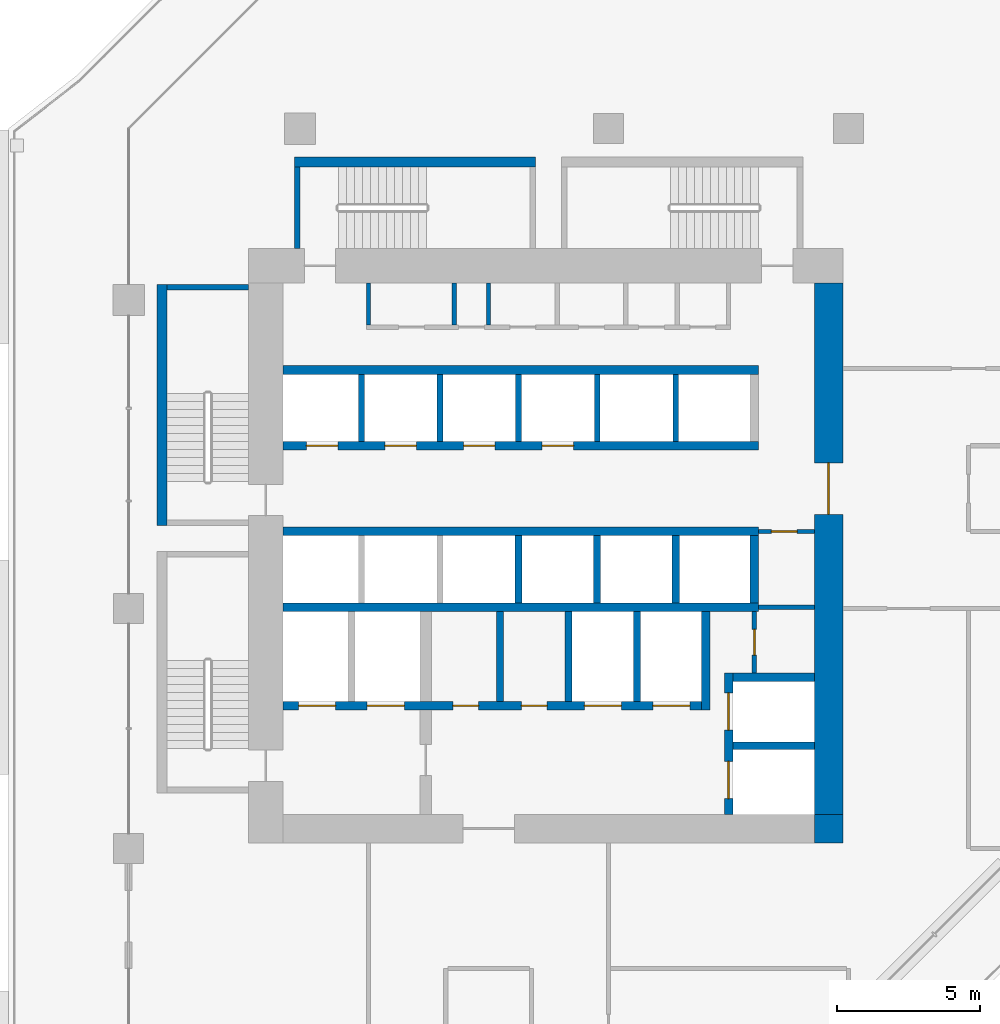
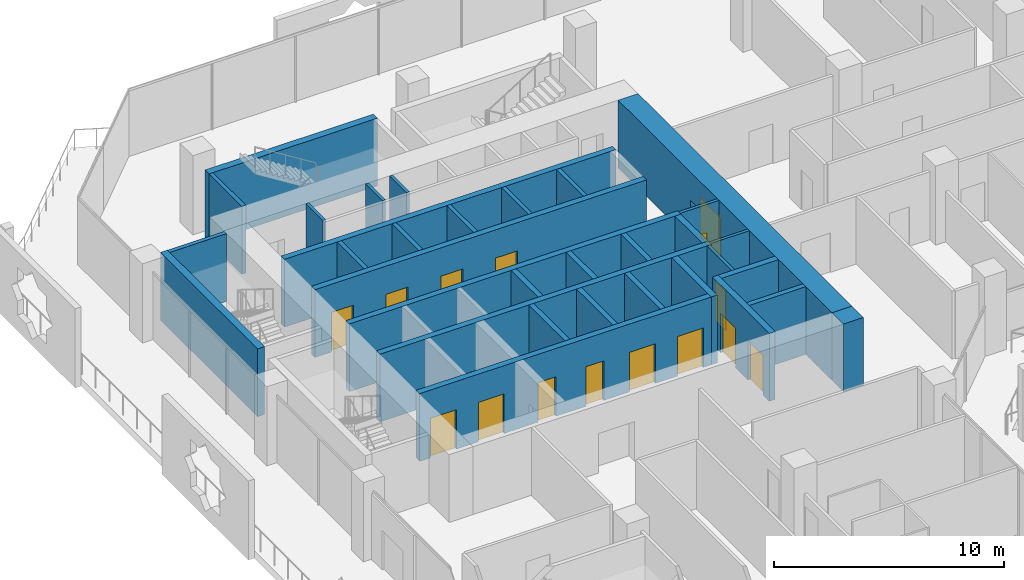
# One storey, part 15 of 25: 33 walls, 15 doors, 15 openings.
"""IFC4 building model written with IfcOpenShell, lengths in metres."""

import ifcopenshell
import ifcopenshell.guid

model = None  # the IFC model being written
_history = None  # IfcOwnerHistory: only IFC2X3 demands one
_inside = {}  # id of a spatial element -> (the spatial element, [elements in it])
_under = {}  # id of a project, library or spatial element -> (it, [spatial elements below it])
_declared = {}  # id of a project -> (the project, [libraries it declares])
_typed = {}  # id of a type object -> (the type object, [elements of that type])
_made_of = {}  # id of a material, layer set ... -> (it, [elements and type objects made of it])


def new_model(schema):
    """Start an empty IFC model of exactly this schema.

    Asked for "IFC4X3", IfcOpenShell would pick the latest addendum, in which some entities
    have other attributes; the version numbers below select the first issue.
    IFC2X3 requires an IfcOwnerHistory on every rooted entity: one is made here for all.
    """
    global model, _history
    if schema == "IFC4X3":
        model = ifcopenshell.file(schema_version=(4, 3, 0, 0))
    else:
        model = ifcopenshell.file(schema=schema)
    _inside.clear()
    _under.clear()
    _declared.clear()
    _typed.clear()
    _made_of.clear()
    _history = None
    if model.schema == "IFC2X3":
        org = make("IfcOrganization", Name="unknown")
        user = make(
            "IfcPersonAndOrganization",
            ThePerson=make("IfcPerson", FamilyName="unknown"),
            TheOrganization=org,
        )
        app = make(
            "IfcApplication",
            ApplicationDeveloper=org,
            Version="unknown",
            ApplicationFullName="unknown",
            ApplicationIdentifier="unknown",
        )
        _history = make(
            "IfcOwnerHistory",
            OwningUser=user,
            OwningApplication=app,
            ChangeAction="ADDED",
            CreationDate=0,
        )
    return model


def make(cls, **values):
    """One entity of the class cls with the attributes given. An attribute that is None is left unset."""
    return model.create_entity(
        cls, **{name: value for name, value in values.items() if value is not None}
    )


def rooted(cls, **values):
    """An entity with a GlobalId (a new one), such as an element, a storey or a relation."""
    return make(cls, GlobalId=ifcopenshell.guid.new(), OwnerHistory=_history, **values)


def si_unit(unit_type, name, prefix=None):
    """IfcSIUnit, for example si_unit("LENGTHUNIT", "METRE", prefix="MILLI")."""
    return make("IfcSIUnit", UnitType=unit_type, Prefix=prefix, Name=name)


def assignment(units):
    """IfcUnitAssignment: the units of a project."""
    return None if units is None else make("IfcUnitAssignment", Units=units)


def point(xyz):
    """IfcCartesianPoint."""
    return None if xyz is None else make("IfcCartesianPoint", Coordinates=xyz)


def direction(xyz):
    """IfcDirection."""
    return None if xyz is None else make("IfcDirection", DirectionRatios=xyz)


def frame(location, z_axis=None, x_axis=None):
    """IfcAxis2Placement3D, a coordinate frame: its origin and axes. An axis left out is left unset."""
    return make(
        "IfcAxis2Placement3D",
        Location=point(location),
        Axis=direction(z_axis),
        RefDirection=direction(x_axis),
    )


def frame_2d(location, x_axis=None):
    """IfcAxis2Placement2D, a coordinate frame in the plane: its origin and x axis."""
    return make(
        "IfcAxis2Placement2D", Location=point(location), RefDirection=direction(x_axis)
    )


def origin():
    """The frame at (0, 0, 0) with its axes left unset."""
    return frame((0.0, 0.0, 0.0))


def place(relative_to, where):
    """IfcLocalPlacement: puts the frame where relative to a parent placement (None: the world)."""
    return make(
        "IfcLocalPlacement", PlacementRelTo=relative_to, RelativePlacement=where
    )


def context(
    kind, dimensions, precision=None, world=None, true_north=None, identifier=None
):
    """IfcGeometricRepresentationContext, for example the 3D "Model" context."""
    return make(
        "IfcGeometricRepresentationContext",
        ContextIdentifier=identifier,
        ContextType=kind,
        CoordinateSpaceDimension=dimensions,
        Precision=precision,
        WorldCoordinateSystem=world,
        TrueNorth=true_north,
    )


def subcontext(parent, identifier, kind, view, scale=None):
    """IfcGeometricRepresentationSubContext, for example "Body" below "Model"."""
    return make(
        "IfcGeometricRepresentationSubContext",
        ContextIdentifier=identifier,
        ContextType=kind,
        ParentContext=parent,
        TargetScale=scale,
        TargetView=view,
    )


def project(units=None, contexts=None):
    """IfcProject with its units and contexts."""
    return rooted(
        "IfcProject",
        Name="project",
        RepresentationContexts=contexts,
        UnitsInContext=assignment(units),
    )


def spatial(cls, under=None, at=None, **own):
    """A site, building, storey or space (cls), placed at a placement, below another one or the project."""
    s = rooted(cls, ObjectPlacement=at, **own)
    if under is not None:
        _under.setdefault(under.id(), (under, []))[1].append(s)
    return s


def profile(cls, at=None, kind="AREA", **sizes):
    """A parametric profile (cls). Its sizes go by their IFC names, for example OverallWidth=200.0."""
    return make(cls, ProfileType=kind, Position=at, **sizes)


def rectangle(**sizes):
    """IfcRectangleProfileDef."""
    return profile("IfcRectangleProfileDef", **sizes)


def extrude(swept, where, along, depth):
    """IfcExtrudedAreaSolid: the profile swept, set in the frame where, extruded along a direction by depth."""
    return make(
        "IfcExtrudedAreaSolid",
        SweptArea=swept,
        Position=where,
        ExtrudedDirection=direction(along),
        Depth=depth,
    )


def shape(context_of_items, identifier, shape_type, items):
    """IfcShapeRepresentation: the items that make up one representation, for example the "Body"."""
    return make(
        "IfcShapeRepresentation",
        ContextOfItems=context_of_items,
        RepresentationIdentifier=identifier,
        RepresentationType=shape_type,
        Items=items,
    )


def material(Name=None, Category=None):
    """IfcMaterial."""
    return make("IfcMaterial", Name=Name, Category=Category)


def layer(
    of_material, thickness, ventilated=None, Name=None, Category=None, Priority=None
):
    """IfcMaterialLayer: one layer of a wall or slab, of a material (None: an air gap)."""
    return make(
        "IfcMaterialLayer",
        Material=of_material,
        LayerThickness=thickness,
        IsVentilated=ventilated,
        Name=Name,
        Category=Category,
        Priority=Priority,
    )


def layer_set(layers, Name=None):
    """IfcMaterialLayerSet."""
    return make("IfcMaterialLayerSet", MaterialLayers=layers, LayerSetName=Name)


def made_of(thing, what):
    """Note that an element or type object is made of a material, layer set ...; save() writes the relation."""
    if what is not None:
        _made_of.setdefault(what.id(), (what, []))[1].append(thing)
    return thing


def type_object(cls, material=None, **own):
    """A type object (cls), such as IfcWallType, which elements share."""
    return made_of(rooted(cls, **own), material)


def element(
    cls,
    number,
    at=None,
    inside=None,
    cuts=None,
    type_object=None,
    material=None,
    context=None,
    identifier="Body",
    shape_type=None,
    held_by="IfcProductDefinitionShape",
    body=None,
    shapes=None,
    **own,
):
    """One element of the class cls, such as IfcWall. Its Tag is "e" and its number.

    at: its placement. inside: the storey or other place that contains it. cuts: it is an
    opening in that element (IfcRelVoidsElement). A single representation is given by context,
    identifier, shape_type and body (its items); several are given by shapes. held_by: the class
    of the entity that holds the representations. save() writes the other relations.
    """
    e = rooted(cls, Tag="e%d" % number, ObjectPlacement=at, **own)
    if body is not None:
        shapes = [shape(context, identifier, shape_type, body)]
    if shapes is not None:
        e.Representation = make(held_by, Representations=shapes)
    if inside is not None:
        _inside.setdefault(inside.id(), (inside, []))[1].append(e)
    if cuts is not None:
        rooted(
            "IfcRelVoidsElement", RelatingBuildingElement=cuts, RelatedOpeningElement=e
        )
    if type_object is not None:
        _typed.setdefault(type_object.id(), (type_object, []))[1].append(e)
    return made_of(e, material)


def fill(opening, filler):
    """IfcRelFillsElement: the door or window that sits in an opening."""
    return rooted(
        "IfcRelFillsElement",
        RelatingOpeningElement=opening,
        RelatedBuildingElement=filler,
    )


def aggregate(whole, parts):
    """IfcRelAggregates: a whole, such as a stair, and the parts it consists of."""
    return rooted("IfcRelAggregates", RelatingObject=whole, RelatedObjects=parts)


def save(model, path):
    """Write the relations noted so far, then the file.

    IfcRelAggregates (storeys below a building ...), IfcRelContainedInSpatialStructure (elements
    in a storey), IfcRelDefinesByType, IfcRelAssociatesMaterial and IfcRelDeclares: one each for
    every whole, place, type object, material and project.
    """
    for whole, parts in _under.values():
        aggregate(whole, parts)
    for where, things in _inside.values():
        rooted(
            "IfcRelContainedInSpatialStructure",
            RelatedElements=things,
            RelatingStructure=where,
        )
    for kind, things in _typed.values():
        rooted("IfcRelDefinesByType", RelatedObjects=things, RelatingType=kind)
    for what, things in _made_of.values():
        rooted("IfcRelAssociatesMaterial", RelatedObjects=things, RelatingMaterial=what)
    for by, libraries in _declared.values():
        rooted("IfcRelDeclares", RelatingContext=by, RelatedDefinitions=libraries)
    model.write(path)


model = new_model("IFC4")

# Units and contexts
model_context = context("Model", 3, precision=1e-05, world=origin(), true_north=direction((0.0, 1.0)))
body_context = subcontext(model_context, "Body", "Model", "MODEL_VIEW")
ifc_project = project(units=[si_unit("LENGTHUNIT", "METRE"), si_unit("AREAUNIT", "SQUARE_METRE"), si_unit("VOLUMEUNIT", "CUBIC_METRE"), si_unit("PLANEANGLEUNIT", "RADIAN"), si_unit("MASSUNIT", "GRAM", prefix="KILO")], contexts=[model_context])

# Site, building, storey
site_placement = place(None, origin())
site = spatial("IfcSite", under=ifc_project, at=site_placement, CompositionType="ELEMENT")
building_placement = place(site_placement, origin())
building = spatial("IfcBuilding", under=site, at=building_placement, Name="Kawkab Arch Medical Tower", CompositionType="ELEMENT")
storey_placement = place(building_placement, frame((0.0, 0.0, 111.39990234375)))
storey = spatial("IfcBuildingStorey", under=building, at=storey_placement, Name="L25", CompositionType="ELEMENT", Elevation=111.39990234375)

# Wall, opening, door
ifc_material_1 = material(Name="Concrete C60/75", Category="concrete")
ifc_layer_1 = layer(ifc_material_1, 1.0)
ifc_layer_set_1 = layer_set([ifc_layer_1], Name="Concrete C60/75")
wall_type_1 = type_object("IfcWallType", Name="Core ring wall 1000 C60/75", PredefinedType="SHEAR", material=ifc_layer_set_1)
wall_1_placement = place(storey_placement, frame((24.5, -24.0, 0.0), z_axis=(0.0, 0.0, 1.0), x_axis=(0.0, 1.0, 0.0)))
wall_1 = element("IfcWall", 1, at=wall_1_placement, inside=storey, type_object=wall_type_1, Name="L25 core wall", PredefinedType="SHEAR", context=body_context, shape_type="SweptSolid", body=[
    extrude(rectangle(XDim=18.60009765625, YDim=1.0, at=frame_2d((9.300048828125, 0.0))), origin(), (0.0, 0.0, 1.0), 3.60009765625),
])
opening_1_placement = place(wall_1_placement, frame((10.5, 0.0, 0.0)))
opening_1 = element("IfcOpeningElement", 2, at=opening_1_placement, cuts=wall_1, Name="Opening PD", PredefinedType="OPENING", context=body_context, shape_type="SweptSolid", body=[
    extrude(rectangle(XDim=1.800048828125, YDim=2.10009765625, at=frame_2d((0.89990234375, 1.050048828125))), frame((0.0, 0.510009765625, 0.0), z_axis=(0.0, -1.0, 0.0), x_axis=(1.0, 0.0, 0.0)), (0.0, 0.0, 1.0), 1.02001953125),
])
ifc_material_2 = material(Name="Hollow metal fire door leaf")
door_type_1 = type_object("IfcDoorType", Name="Core entrance doors 1800", OperationType="DOUBLE_DOOR_SINGLE_SWING", PredefinedType="DOOR", material=ifc_material_2)
door_1_placement = place(opening_1_placement, origin())
door_1 = element("IfcDoor", 3, at=door_1_placement, inside=storey, type_object=door_type_1, Name="L25 East entrance doors", OperationType="DOUBLE_DOOR_SINGLE_SWING", OverallHeight=2.10009765625, OverallWidth=1.800048828125, PredefinedType="DOOR", context=body_context, shape_type="SweptSolid", body=[
    extrude(rectangle(XDim=1.800048828125, YDim=2.10009765625, at=frame_2d((0.89990234375, 1.050048828125))), frame((0.0, 0.02490234375, 0.0), z_axis=(0.0, -1.0, 0.0), x_axis=(1.0, 0.0, 0.0)), (0.0, 0.0, 1.0), 0.050048828125),
])
fill(opening_1, door_1)

# Wall
wall_2_placement = place(storey_placement, frame((24.5, -25.0, 0.0), z_axis=(0.0, 0.0, 1.0), x_axis=(0.0, 1.0, 0.0)))
element("IfcWall", 4, at=wall_2_placement, inside=storey, type_object=wall_type_1, Name="L25 core wall", PredefinedType="SHEAR", context=body_context, shape_type="SweptSolid", body=[
    extrude(rectangle(XDim=1.0, YDim=1.0, at=frame_2d((0.5, 0.0))), origin(), (0.0, 0.0, 1.0), 3.60009765625),
])

# Wall, opening, door
ifc_material_3 = material(Name="Gypsum board on steel studs", Category="steel")
ifc_layer_2 = layer(ifc_material_3, 0.14990234375)
ifc_layer_set_2 = layer_set([ifc_layer_2], Name="Gypsum board on steel studs")
wall_type_2 = type_object("IfcWallType", Name="Core room partition 150", PredefinedType="PARTITIONING", material=ifc_layer_set_2)
wall_3_placement = place(storey_placement, frame((21.89990234375, -19.050048828125, 0.0), z_axis=(0.0, 0.0, 1.0), x_axis=(0.0, 1.0, 0.0)))
wall_3 = element("IfcWall", 5, at=wall_3_placement, inside=storey, type_object=wall_type_2, Name="L25 core room partition", PredefinedType="PARTITIONING", context=body_context, shape_type="SweptSolid", body=[
    extrude(rectangle(XDim=2.150146484375, YDim=0.14990234375, at=frame_2d((1.0751953125, 0.0))), origin(), (0.0, 0.0, 1.0), 3.60009765625),
])
opening_2_placement = place(wall_3_placement, frame((0.625, 0.0, 0.0)))
opening_2 = element("IfcOpeningElement", 6, at=opening_2_placement, cuts=wall_3, Name="Opening RD", PredefinedType="OPENING", context=body_context, shape_type="SweptSolid", body=[
    extrude(rectangle(XDim=0.89990234375, YDim=2.10009765625, at=frame_2d((0.449951171875, 1.050048828125))), frame((0.0, 0.0849609375, 0.0), z_axis=(0.0, -1.0, 0.0), x_axis=(1.0, 0.0, 0.0)), (0.0, 0.0, 1.0), 0.169921875),
])
ifc_material_4 = material(Name="Hollow metal fire door leaf")
door_type_2 = type_object("IfcDoorType", Name="Core room door 900", OperationType="SINGLE_SWING_LEFT", PredefinedType="DOOR", material=ifc_material_4)
door_2_placement = place(opening_2_placement, origin())
door_2 = element("IfcDoor", 7, at=door_2_placement, inside=storey, type_object=door_type_2, Name="L25 Accessible WC door", OperationType="SINGLE_SWING_LEFT", OverallHeight=2.10009765625, OverallWidth=0.89990234375, PredefinedType="DOOR", context=body_context, shape_type="SweptSolid", body=[
    extrude(rectangle(XDim=0.89990234375, YDim=2.10009765625, at=frame_2d((0.449951171875, 1.050048828125))), frame((0.0, 0.02490234375, 0.0), z_axis=(0.0, -1.0, 0.0), x_axis=(1.0, 0.0, 0.0)), (0.0, 0.0, 1.0), 0.050048828125),
])
fill(opening_2, door_2)

# Wall
wall_4_placement = place(storey_placement, frame((22.050048828125, -16.75, 0.0), z_axis=(0.0, 0.0, 1.0), x_axis=(1.0, 0.0, 0.0)))
element("IfcWall", 8, at=wall_4_placement, inside=storey, type_object=wall_type_2, Name="L25 core room partition", PredefinedType="PARTITIONING", context=body_context, shape_type="SweptSolid", body=[
    extrude(rectangle(XDim=1.949951171875, YDim=0.14990234375, at=frame_2d((0.97509765625, 0.0))), origin(), (0.0, 0.0, 1.0), 3.60009765625),
])

# Wall, opening, door
wall_5_placement = place(storey_placement, frame((22.050048828125, -14.10009765625, 0.0), z_axis=(0.0, 0.0, 1.0), x_axis=(1.0, 0.0, 0.0)))
wall_5 = element("IfcWall", 9, at=wall_5_placement, inside=storey, type_object=wall_type_2, Name="L25 core room partition", PredefinedType="PARTITIONING", context=body_context, shape_type="SweptSolid", body=[
    extrude(rectangle(XDim=1.949951171875, YDim=0.14990234375, at=frame_2d((0.97509765625, 0.0))), origin(), (0.0, 0.0, 1.0), 3.60009765625),
])
opening_3_placement = place(wall_5_placement, frame((0.449951171875, 0.0, 0.0)))
opening_3 = element("IfcOpeningElement", 10, at=opening_3_placement, cuts=wall_5, Name="Opening RD", PredefinedType="OPENING", context=body_context, shape_type="SweptSolid", body=[
    extrude(rectangle(XDim=0.89990234375, YDim=2.10009765625, at=frame_2d((0.449951171875, 1.050048828125))), frame((0.0, 0.0849609375, 0.0), z_axis=(0.0, -1.0, 0.0), x_axis=(1.0, 0.0, 0.0)), (0.0, 0.0, 1.0), 0.169921875),
])
door_3_placement = place(opening_3_placement, origin())
door_3 = element("IfcDoor", 11, at=door_3_placement, inside=storey, type_object=door_type_2, Name="L25 Equipment store door", OperationType="SINGLE_SWING_LEFT", OverallHeight=2.10009765625, OverallWidth=0.89990234375, PredefinedType="DOOR", context=body_context, shape_type="SweptSolid", body=[
    extrude(rectangle(XDim=0.89990234375, YDim=2.10009765625, at=frame_2d((0.449951171875, 1.050048828125))), frame((0.0, 0.02490234375, 0.0), z_axis=(0.0, -1.0, 0.0), x_axis=(1.0, 0.0, 0.0)), (0.0, 0.0, 1.0), 0.050048828125),
])
fill(opening_3, door_3)

# Walls
for number, where, z_axis, x_axis, name in (
    (12, (8.39990234375, -6.875, 0.0), (0.0, 0.0, 1.0), (0.0, 1.0, 0.0), "L25 core room partition"),
    (13, (11.39990234375, -6.875, 0.0), (0.0, 0.0, 1.0), (0.0, 1.0, 0.0), "L25 core room partition"),
    (14, (12.60009765625, -6.875, 0.0), (0.0, 0.0, 1.0), (0.0, 1.0, 0.0), "L25 core room partition"),
):
    element("IfcWall", number, at=place(storey_placement, frame(where, z_axis=z_axis, x_axis=x_axis)), inside=storey, type_object=wall_type_2, Name=name, PredefinedType="PARTITIONING", context=body_context, shape_type="SweptSolid", body=[
        extrude(rectangle(XDim=1.47509765625, YDim=0.14990234375, at=frame_2d((0.737548828125, 0.0))), origin(), (0.0, 0.0, 1.0), 3.60009765625),
    ])
ifc_material_5 = material(Name="Concrete C60/75", Category="concrete")
ifc_layer_3 = layer(ifc_material_5, 0.25)
ifc_layer_set_3 = layer_set([ifc_layer_3], Name="Concrete C60/75")
wall_type_3 = type_object("IfcWallType", Name="Core shear wall 250 C60/75", PredefinedType="SHEAR", material=ifc_layer_set_3)
wall_6_placement = place(storey_placement, frame((21.14990234375, -21.60009765625, 0.0), z_axis=(0.0, 0.0, 1.0), x_axis=(1.0, 0.0, 0.0)))
element("IfcWall", 15, at=wall_6_placement, inside=storey, type_object=wall_type_3, Name="L25 core shear wall", PredefinedType="SHEAR", context=body_context, shape_type="SweptSolid", body=[
    extrude(rectangle(XDim=2.85009765625, YDim=0.25, at=frame_2d((1.425048828125, 0.0))), origin(), (0.0, 0.0, 1.0), 3.60009765625),
])
for number, where, z_axis, x_axis, name in (
    (16, (13.0, -20.050048828125, 0.0), (0.0, 0.0, 1.0), (0.0, 1.0, 0.0), "L25 core shear wall"),
    (17, (15.39990234375, -20.050048828125, 0.0), (0.0, 0.0, 1.0), (0.0, 1.0, 0.0), "L25 core shear wall"),
    (18, (17.800048828125, -20.050048828125, 0.0), (0.0, 0.0, 1.0), (0.0, 1.0, 0.0), "L25 core shear wall"),
):
    element("IfcWall", number, at=place(storey_placement, frame(where, z_axis=z_axis, x_axis=x_axis)), inside=storey, type_object=wall_type_3, Name=name, PredefinedType="SHEAR", context=body_context, shape_type="SweptSolid", body=[
        extrude(rectangle(XDim=3.150146484375, YDim=0.25, at=frame_2d((1.5751953125, 0.0))), origin(), (0.0, 0.0, 1.0), 3.60009765625),
    ])
for number, where, z_axis, x_axis, name in (
    (19, (13.64990234375, -16.60009765625, 0.0), (0.0, 0.0, 1.0), (0.0, 1.0, 0.0), "L25 core shear wall"),
    (20, (16.39990234375, -16.60009765625, 0.0), (0.0, 0.0, 1.0), (0.0, 1.0, 0.0), "L25 core shear wall"),
    (21, (19.14990234375, -16.60009765625, 0.0), (0.0, 0.0, 1.0), (0.0, 1.0, 0.0), "L25 core shear wall"),
):
    element("IfcWall", number, at=place(storey_placement, frame(where, z_axis=z_axis, x_axis=x_axis)), inside=storey, type_object=wall_type_3, Name=name, PredefinedType="SHEAR", context=body_context, shape_type="SweptSolid", body=[
        extrude(rectangle(XDim=2.35009765625, YDim=0.25, at=frame_2d((1.175048828125, 0.0))), origin(), (0.0, 0.0, 1.0), 3.60009765625),
    ])
ifc_material_6 = material(Name="Concrete C60/75", Category="concrete")
ifc_layer_4 = layer(ifc_material_6, 0.300048828125)
ifc_layer_set_4 = layer_set([ifc_layer_4], Name="Concrete C60/75")
wall_type_4 = type_object("IfcWallType", Name="Core shear wall 300 C60/75", PredefinedType="SHEAR", material=ifc_layer_set_4)
wall_7_placement = place(storey_placement, frame((5.39990234375, -8.449951171875, 0.0), z_axis=(0.0, 0.0, 1.0), x_axis=(1.0, 0.0, 0.0)))
element("IfcWall", 22, at=wall_7_placement, inside=storey, type_object=wall_type_4, Name="L25 core shear wall", PredefinedType="SHEAR", context=body_context, shape_type="SweptSolid", body=[
    extrude(rectangle(XDim=16.650146484375, YDim=0.300048828125, at=frame_2d((8.3251953125, 0.0))), origin(), (0.0, 0.0, 1.0), 3.60009765625),
])

# Wall, openings, doors
wall_8_placement = place(storey_placement, frame((5.39990234375, -11.10009765625, 0.0), z_axis=(0.0, 0.0, 1.0), x_axis=(1.0, 0.0, 0.0)))
wall_8 = element("IfcWall", 23, at=wall_8_placement, inside=storey, type_object=wall_type_4, Name="L25 core shear wall", PredefinedType="SHEAR", context=body_context, shape_type="SweptSolid", body=[
    extrude(rectangle(XDim=16.650146484375, YDim=0.300048828125, at=frame_2d((8.3251953125, 0.0))), origin(), (0.0, 0.0, 1.0), 3.60009765625),
])
opening_4_placement = place(wall_8_placement, frame((0.824951171875, 0.0, 0.0)))
opening_4 = element("IfcOpeningElement", 24, at=opening_4_placement, cuts=wall_8, Name="Opening LD1", PredefinedType="OPENING", context=body_context, shape_type="SweptSolid", body=[
    extrude(rectangle(XDim=1.10009765625, YDim=2.10009765625, at=frame_2d((0.550048828125, 1.050048828125))), frame((0.0, 0.159912109375, 0.0), z_axis=(0.0, -1.0, 0.0), x_axis=(1.0, 0.0, 0.0)), (0.0, 0.0, 1.0), 0.320068359375),
])
opening_5_placement = place(wall_8_placement, frame((3.574951171875, 0.0, 0.0)))
opening_5 = element("IfcOpeningElement", 25, at=opening_5_placement, cuts=wall_8, Name="Opening LD1", PredefinedType="OPENING", context=body_context, shape_type="SweptSolid", body=[
    extrude(rectangle(XDim=1.10009765625, YDim=2.10009765625, at=frame_2d((0.550048828125, 1.050048828125))), frame((0.0, 0.159912109375, 0.0), z_axis=(0.0, -1.0, 0.0), x_axis=(1.0, 0.0, 0.0)), (0.0, 0.0, 1.0), 0.320068359375),
])
opening_6_placement = place(wall_8_placement, frame((6.324951171875, 0.0, 0.0)))
opening_6 = element("IfcOpeningElement", 26, at=opening_6_placement, cuts=wall_8, Name="Opening LD1", PredefinedType="OPENING", context=body_context, shape_type="SweptSolid", body=[
    extrude(rectangle(XDim=1.10009765625, YDim=2.10009765625, at=frame_2d((0.550048828125, 1.050048828125))), frame((0.0, 0.159912109375, 0.0), z_axis=(0.0, -1.0, 0.0), x_axis=(1.0, 0.0, 0.0)), (0.0, 0.0, 1.0), 0.320068359375),
])
opening_7_placement = place(wall_8_placement, frame((9.074951171875, 0.0, 0.0)))
opening_7 = element("IfcOpeningElement", 27, at=opening_7_placement, cuts=wall_8, Name="Opening LD1", PredefinedType="OPENING", context=body_context, shape_type="SweptSolid", body=[
    extrude(rectangle(XDim=1.10009765625, YDim=2.10009765625, at=frame_2d((0.550048828125, 1.050048828125))), frame((0.0, 0.159912109375, 0.0), z_axis=(0.0, -1.0, 0.0), x_axis=(1.0, 0.0, 0.0)), (0.0, 0.0, 1.0), 0.320068359375),
])
ifc_material_7 = material(Name="Stainless steel lift door leaf", Category="steel")
door_type_3 = type_object("IfcDoorType", Name="Lift landing door 1100", OperationType="DOUBLE_DOOR_SLIDING", PredefinedType="DOOR", material=ifc_material_7)
door_4_placement = place(opening_4_placement, origin())
door_4 = element("IfcDoor", 28, at=door_4_placement, inside=storey, type_object=door_type_3, Name="L25 Lift landing door LP1", OperationType="DOUBLE_DOOR_SLIDING", OverallHeight=2.10009765625, OverallWidth=1.10009765625, PredefinedType="DOOR", context=body_context, shape_type="SweptSolid", body=[
    extrude(rectangle(XDim=1.10009765625, YDim=2.10009765625, at=frame_2d((0.550048828125, 1.050048828125))), frame((0.0, 0.02490234375, 0.0), z_axis=(0.0, -1.0, 0.0), x_axis=(1.0, 0.0, 0.0)), (0.0, 0.0, 1.0), 0.050048828125),
])
fill(opening_4, door_4)
door_5_placement = place(opening_5_placement, origin())
door_5 = element("IfcDoor", 29, at=door_5_placement, inside=storey, type_object=door_type_3, Name="L25 Lift landing door LP2", OperationType="DOUBLE_DOOR_SLIDING", OverallHeight=2.10009765625, OverallWidth=1.10009765625, PredefinedType="DOOR", context=body_context, shape_type="SweptSolid", body=[
    extrude(rectangle(XDim=1.10009765625, YDim=2.10009765625, at=frame_2d((0.550048828125, 1.050048828125))), frame((0.0, 0.02490234375, 0.0), z_axis=(0.0, -1.0, 0.0), x_axis=(1.0, 0.0, 0.0)), (0.0, 0.0, 1.0), 0.050048828125),
])
fill(opening_5, door_5)
door_6_placement = place(opening_6_placement, origin())
door_6 = element("IfcDoor", 30, at=door_6_placement, inside=storey, type_object=door_type_3, Name="L25 Lift landing door LP3", OperationType="DOUBLE_DOOR_SLIDING", OverallHeight=2.10009765625, OverallWidth=1.10009765625, PredefinedType="DOOR", context=body_context, shape_type="SweptSolid", body=[
    extrude(rectangle(XDim=1.10009765625, YDim=2.10009765625, at=frame_2d((0.550048828125, 1.050048828125))), frame((0.0, 0.02490234375, 0.0), z_axis=(0.0, -1.0, 0.0), x_axis=(1.0, 0.0, 0.0)), (0.0, 0.0, 1.0), 0.050048828125),
])
fill(opening_6, door_6)
door_7_placement = place(opening_7_placement, origin())
door_7 = element("IfcDoor", 31, at=door_7_placement, inside=storey, type_object=door_type_3, Name="L25 Lift landing door LP4", OperationType="DOUBLE_DOOR_SLIDING", OverallHeight=2.10009765625, OverallWidth=1.10009765625, PredefinedType="DOOR", context=body_context, shape_type="SweptSolid", body=[
    extrude(rectangle(XDim=1.10009765625, YDim=2.10009765625, at=frame_2d((0.550048828125, 1.050048828125))), frame((0.0, 0.02490234375, 0.0), z_axis=(0.0, -1.0, 0.0), x_axis=(1.0, 0.0, 0.0)), (0.0, 0.0, 1.0), 0.050048828125),
])
fill(opening_7, door_7)

# Walls
for number, where, z_axis, x_axis, name in (
    (32, (5.39990234375, -14.10009765625, 0.0), (0.0, 0.0, 1.0), (1.0, 0.0, 0.0), "L25 core shear wall"),
    (33, (5.39990234375, -16.75, 0.0), (0.0, 0.0, 1.0), (1.0, 0.0, 0.0), "L25 core shear wall"),
):
    element("IfcWall", number, at=place(storey_placement, frame(where, z_axis=z_axis, x_axis=x_axis)), inside=storey, type_object=wall_type_4, Name=name, PredefinedType="SHEAR", context=body_context, shape_type="SweptSolid", body=[
        extrude(rectangle(XDim=16.650146484375, YDim=0.300048828125, at=frame_2d((8.3251953125, 0.0))), origin(), (0.0, 0.0, 1.0), 3.60009765625),
    ])

# Wall, openings, doors
wall_9_placement = place(storey_placement, frame((5.39990234375, -20.199951171875, 0.0), z_axis=(0.0, 0.0, 1.0), x_axis=(1.0, 0.0, 0.0)))
wall_9 = element("IfcWall", 34, at=wall_9_placement, inside=storey, type_object=wall_type_4, Name="L25 core shear wall", PredefinedType="SHEAR", context=body_context, shape_type="SweptSolid", body=[
    extrude(rectangle(XDim=14.650146484375, YDim=0.300048828125, at=frame_2d((7.3251953125, 0.0))), origin(), (0.0, 0.0, 1.0), 3.60009765625),
])
opening_8_placement = place(wall_9_placement, frame((10.550048828125, 0.0, 0.0)))
opening_8 = element("IfcOpeningElement", 35, at=opening_8_placement, cuts=wall_9, Name="Opening LD2", PredefinedType="OPENING", context=body_context, shape_type="SweptSolid", body=[
    extrude(rectangle(XDim=1.300048828125, YDim=2.10009765625, at=frame_2d((0.64990234375, 1.050048828125))), frame((0.0, 0.159912109375, 0.0), z_axis=(0.0, -1.0, 0.0), x_axis=(1.0, 0.0, 0.0)), (0.0, 0.0, 1.0), 0.320068359375),
])
opening_9_placement = place(wall_9_placement, frame((12.949951171875, 0.0, 0.0)))
opening_9 = element("IfcOpeningElement", 36, at=opening_9_placement, cuts=wall_9, Name="Opening LD2", PredefinedType="OPENING", context=body_context, shape_type="SweptSolid", body=[
    extrude(rectangle(XDim=1.300048828125, YDim=2.10009765625, at=frame_2d((0.64990234375, 1.050048828125))), frame((0.0, 0.159912109375, 0.0), z_axis=(0.0, -1.0, 0.0), x_axis=(1.0, 0.0, 0.0)), (0.0, 0.0, 1.0), 0.320068359375),
])
opening_10_placement = place(wall_9_placement, frame((0.550048828125, 0.0, 0.0)))
opening_10 = element("IfcOpeningElement", 37, at=opening_10_placement, cuts=wall_9, Name="Opening LD2", PredefinedType="OPENING", context=body_context, shape_type="SweptSolid", body=[
    extrude(rectangle(XDim=1.300048828125, YDim=2.10009765625, at=frame_2d((0.64990234375, 1.050048828125))), frame((0.0, 0.159912109375, 0.0), z_axis=(0.0, -1.0, 0.0), x_axis=(1.0, 0.0, 0.0)), (0.0, 0.0, 1.0), 0.320068359375),
])
opening_11_placement = place(wall_9_placement, frame((2.949951171875, 0.0, 0.0)))
opening_11 = element("IfcOpeningElement", 38, at=opening_11_placement, cuts=wall_9, Name="Opening LD2", PredefinedType="OPENING", context=body_context, shape_type="SweptSolid", body=[
    extrude(rectangle(XDim=1.300048828125, YDim=2.10009765625, at=frame_2d((0.64990234375, 1.050048828125))), frame((0.0, 0.159912109375, 0.0), z_axis=(0.0, -1.0, 0.0), x_axis=(1.0, 0.0, 0.0)), (0.0, 0.0, 1.0), 0.320068359375),
])
opening_12_placement = place(wall_9_placement, frame((5.949951171875, 0.0, 0.0)))
opening_12 = element("IfcOpeningElement", 39, at=opening_12_placement, cuts=wall_9, Name="Opening RD", PredefinedType="OPENING", context=body_context, shape_type="SweptSolid", body=[
    extrude(rectangle(XDim=0.89990234375, YDim=2.10009765625, at=frame_2d((0.449951171875, 1.050048828125))), frame((0.0, 0.159912109375, 0.0), z_axis=(0.0, -1.0, 0.0), x_axis=(1.0, 0.0, 0.0)), (0.0, 0.0, 1.0), 0.320068359375),
])
opening_13_placement = place(wall_9_placement, frame((8.35009765625, 0.0, 0.0)))
opening_13 = element("IfcOpeningElement", 40, at=opening_13_placement, cuts=wall_9, Name="Opening RD", PredefinedType="OPENING", context=body_context, shape_type="SweptSolid", body=[
    extrude(rectangle(XDim=0.89990234375, YDim=2.10009765625, at=frame_2d((0.449951171875, 1.050048828125))), frame((0.0, 0.159912109375, 0.0), z_axis=(0.0, -1.0, 0.0), x_axis=(1.0, 0.0, 0.0)), (0.0, 0.0, 1.0), 0.320068359375),
])
door_8_placement = place(opening_12_placement, origin())
door_8 = element("IfcDoor", 41, at=door_8_placement, inside=storey, type_object=door_type_2, Name="L25 Dirty utility room door", OperationType="SINGLE_SWING_LEFT", OverallHeight=2.10009765625, OverallWidth=0.89990234375, PredefinedType="DOOR", context=body_context, shape_type="SweptSolid", body=[
    extrude(rectangle(XDim=0.89990234375, YDim=2.10009765625, at=frame_2d((0.449951171875, 1.050048828125))), frame((0.0, 0.02490234375, 0.0), z_axis=(0.0, -1.0, 0.0), x_axis=(1.0, 0.0, 0.0)), (0.0, 0.0, 1.0), 0.050048828125),
])
fill(opening_12, door_8)
door_9_placement = place(opening_13_placement, origin())
door_9 = element("IfcDoor", 42, at=door_9_placement, inside=storey, type_object=door_type_2, Name="L25 Medication store door", OperationType="SINGLE_SWING_LEFT", OverallHeight=2.10009765625, OverallWidth=0.89990234375, PredefinedType="DOOR", context=body_context, shape_type="SweptSolid", body=[
    extrude(rectangle(XDim=0.89990234375, YDim=2.10009765625, at=frame_2d((0.449951171875, 1.050048828125))), frame((0.0, 0.02490234375, 0.0), z_axis=(0.0, -1.0, 0.0), x_axis=(1.0, 0.0, 0.0)), (0.0, 0.0, 1.0), 0.050048828125),
])
fill(opening_13, door_9)
ifc_material_8 = material(Name="Stainless steel lift door leaf", Category="steel")
door_type_4 = type_object("IfcDoorType", Name="Lift landing door 1300", OperationType="DOUBLE_DOOR_SLIDING", PredefinedType="DOOR", material=ifc_material_8)
door_10_placement = place(opening_8_placement, origin())
door_10 = element("IfcDoor", 43, at=door_10_placement, inside=storey, type_object=door_type_4, Name="L25 Lift landing door BD3", OperationType="DOUBLE_DOOR_SLIDING", OverallHeight=2.10009765625, OverallWidth=1.300048828125, PredefinedType="DOOR", context=body_context, shape_type="SweptSolid", body=[
    extrude(rectangle(XDim=1.300048828125, YDim=2.10009765625, at=frame_2d((0.64990234375, 1.050048828125))), frame((0.0, 0.02490234375, 0.0), z_axis=(0.0, -1.0, 0.0), x_axis=(1.0, 0.0, 0.0)), (0.0, 0.0, 1.0), 0.050048828125),
])
fill(opening_8, door_10)
door_11_placement = place(opening_9_placement, origin())
door_11 = element("IfcDoor", 44, at=door_11_placement, inside=storey, type_object=door_type_4, Name="L25 Lift landing door BD4", OperationType="DOUBLE_DOOR_SLIDING", OverallHeight=2.10009765625, OverallWidth=1.300048828125, PredefinedType="DOOR", context=body_context, shape_type="SweptSolid", body=[
    extrude(rectangle(XDim=1.300048828125, YDim=2.10009765625, at=frame_2d((0.64990234375, 1.050048828125))), frame((0.0, 0.02490234375, 0.0), z_axis=(0.0, -1.0, 0.0), x_axis=(1.0, 0.0, 0.0)), (0.0, 0.0, 1.0), 0.050048828125),
])
fill(opening_9, door_11)
door_12_placement = place(opening_10_placement, origin())
door_12 = element("IfcDoor", 45, at=door_12_placement, inside=storey, type_object=door_type_4, Name="L25 Lift landing door FL1", OperationType="DOUBLE_DOOR_SLIDING", OverallHeight=2.10009765625, OverallWidth=1.300048828125, PredefinedType="DOOR", context=body_context, shape_type="SweptSolid", body=[
    extrude(rectangle(XDim=1.300048828125, YDim=2.10009765625, at=frame_2d((0.64990234375, 1.050048828125))), frame((0.0, 0.02490234375, 0.0), z_axis=(0.0, -1.0, 0.0), x_axis=(1.0, 0.0, 0.0)), (0.0, 0.0, 1.0), 0.050048828125),
])
fill(opening_10, door_12)
door_13_placement = place(opening_11_placement, origin())
door_13 = element("IfcDoor", 46, at=door_13_placement, inside=storey, type_object=door_type_4, Name="L25 Lift landing door FL2", OperationType="DOUBLE_DOOR_SLIDING", OverallHeight=2.10009765625, OverallWidth=1.300048828125, PredefinedType="DOOR", context=body_context, shape_type="SweptSolid", body=[
    extrude(rectangle(XDim=1.300048828125, YDim=2.10009765625, at=frame_2d((0.64990234375, 1.050048828125))), frame((0.0, 0.02490234375, 0.0), z_axis=(0.0, -1.0, 0.0), x_axis=(1.0, 0.0, 0.0)), (0.0, 0.0, 1.0), 0.050048828125),
])
fill(opening_11, door_13)

# Walls
wall_10_placement = place(storey_placement, frame((20.199951171875, -20.35009765625, 0.0), z_axis=(0.0, 0.0, 1.0), x_axis=(0.0, 1.0, 0.0)))
element("IfcWall", 47, at=wall_10_placement, inside=storey, type_object=wall_type_4, Name="L25 core shear wall", PredefinedType="SHEAR", context=body_context, shape_type="SweptSolid", body=[
    extrude(rectangle(XDim=3.4501953125, YDim=0.300048828125, at=frame_2d((1.72509765625, 0.0))), origin(), (0.0, 0.0, 1.0), 3.60009765625),
])
wall_11_placement = place(storey_placement, frame((21.89990234375, -16.60009765625, 0.0), z_axis=(0.0, 0.0, 1.0), x_axis=(0.0, 1.0, 0.0)))
element("IfcWall", 48, at=wall_11_placement, inside=storey, type_object=wall_type_4, Name="L25 core shear wall", PredefinedType="SHEAR", context=body_context, shape_type="SweptSolid", body=[
    extrude(rectangle(XDim=2.35009765625, YDim=0.300048828125, at=frame_2d((1.175048828125, 0.0))), origin(), (0.0, 0.0, 1.0), 3.60009765625),
])
wall_12_placement = place(storey_placement, frame((21.14990234375, -19.199951171875, 0.0), z_axis=(0.0, 0.0, 1.0), x_axis=(1.0, 0.0, 0.0)))
element("IfcWall", 49, at=wall_12_placement, inside=storey, type_object=wall_type_4, Name="L25 core shear wall", PredefinedType="SHEAR", context=body_context, shape_type="SweptSolid", body=[
    extrude(rectangle(XDim=2.85009765625, YDim=0.300048828125, at=frame_2d((1.425048828125, 0.0))), origin(), (0.0, 0.0, 1.0), 3.60009765625),
])

# Wall, openings, doors
wall_13_placement = place(storey_placement, frame((21.0, -24.0, 0.0), z_axis=(0.0, 0.0, 1.0), x_axis=(0.0, 1.0, 0.0)))
wall_13 = element("IfcWall", 50, at=wall_13_placement, inside=storey, type_object=wall_type_4, Name="L25 core shear wall", PredefinedType="SHEAR", context=body_context, shape_type="SweptSolid", body=[
    extrude(rectangle(XDim=4.949951171875, YDim=0.300048828125, at=frame_2d((2.47509765625, 0.0))), origin(), (0.0, 0.0, 1.0), 3.60009765625),
])
opening_14_placement = place(wall_13_placement, frame((2.949951171875, 0.0, 0.0)))
opening_14 = element("IfcOpeningElement", 51, at=opening_14_placement, cuts=wall_13, Name="Opening LD2", PredefinedType="OPENING", context=body_context, shape_type="SweptSolid", body=[
    extrude(rectangle(XDim=1.300048828125, YDim=2.10009765625, at=frame_2d((0.64990234375, 1.050048828125))), frame((0.0, 0.159912109375, 0.0), z_axis=(0.0, -1.0, 0.0), x_axis=(1.0, 0.0, 0.0)), (0.0, 0.0, 1.0), 0.320068359375),
])
opening_15_placement = place(wall_13_placement, frame((0.550048828125, 0.0, 0.0)))
opening_15 = element("IfcOpeningElement", 52, at=opening_15_placement, cuts=wall_13, Name="Opening LD2", PredefinedType="OPENING", context=body_context, shape_type="SweptSolid", body=[
    extrude(rectangle(XDim=1.300048828125, YDim=2.10009765625, at=frame_2d((0.64990234375, 1.050048828125))), frame((0.0, 0.159912109375, 0.0), z_axis=(0.0, -1.0, 0.0), x_axis=(1.0, 0.0, 0.0)), (0.0, 0.0, 1.0), 0.320068359375),
])
door_14_placement = place(opening_14_placement, origin())
door_14 = element("IfcDoor", 53, at=door_14_placement, inside=storey, type_object=door_type_4, Name="L25 Lift landing door BD1", OperationType="DOUBLE_DOOR_SLIDING", OverallHeight=2.10009765625, OverallWidth=1.300048828125, PredefinedType="DOOR", context=body_context, shape_type="SweptSolid", body=[
    extrude(rectangle(XDim=1.300048828125, YDim=2.10009765625, at=frame_2d((0.64990234375, 1.050048828125))), frame((0.0, 0.02490234375, 0.0), z_axis=(0.0, -1.0, 0.0), x_axis=(1.0, 0.0, 0.0)), (0.0, 0.0, 1.0), 0.050048828125),
])
fill(opening_14, door_14)
door_15_placement = place(opening_15_placement, origin())
door_15 = element("IfcDoor", 54, at=door_15_placement, inside=storey, type_object=door_type_4, Name="L25 Lift landing door BD2", OperationType="DOUBLE_DOOR_SLIDING", OverallHeight=2.10009765625, OverallWidth=1.300048828125, PredefinedType="DOOR", context=body_context, shape_type="SweptSolid", body=[
    extrude(rectangle(XDim=1.300048828125, YDim=2.10009765625, at=frame_2d((0.64990234375, 1.050048828125))), frame((0.0, 0.02490234375, 0.0), z_axis=(0.0, -1.0, 0.0), x_axis=(1.0, 0.0, 0.0)), (0.0, 0.0, 1.0), 0.050048828125),
])
fill(opening_15, door_15)

# Walls
ifc_material_9 = material(Name="Dense concrete blockwork", Category="masonry")
ifc_layer_5 = layer(ifc_material_9, 0.199951171875)
ifc_layer_set_5 = layer_set([ifc_layer_5], Name="Dense concrete blockwork")
wall_type_5 = type_object("IfcWallType", Name="Lift shaft partition 200", PredefinedType="PARTITIONING", material=ifc_layer_set_5)
for number, where, z_axis, x_axis, name in (
    (55, (8.14990234375, -10.949951171875, 0.0), (0.0, 0.0, 1.0), (0.0, 1.0, 0.0), "L25 lift shaft partition"),
    (56, (10.89990234375, -10.949951171875, 0.0), (0.0, 0.0, 1.0), (0.0, 1.0, 0.0), "L25 lift shaft partition"),
    (57, (13.64990234375, -10.949951171875, 0.0), (0.0, 0.0, 1.0), (0.0, 1.0, 0.0), "L25 lift shaft partition"),
    (58, (16.39990234375, -10.949951171875, 0.0), (0.0, 0.0, 1.0), (0.0, 1.0, 0.0), "L25 lift shaft partition"),
    (59, (19.14990234375, -10.949951171875, 0.0), (0.0, 0.0, 1.0), (0.0, 1.0, 0.0), "L25 lift shaft partition"),
):
    element("IfcWall", number, at=place(storey_placement, frame(where, z_axis=z_axis, x_axis=x_axis)), inside=storey, type_object=wall_type_5, Name=name, PredefinedType="PARTITIONING", context=body_context, shape_type="SweptSolid", body=[
        extrude(rectangle(XDim=2.349853515625, YDim=0.199951171875, at=frame_2d((1.1748046875, 0.0))), origin(), (0.0, 0.0, 1.0), 3.60009765625),
    ])
ifc_material_10 = material(Name="Concrete C50/60", Category="concrete")
ifc_layer_6 = layer(ifc_material_10, 0.199951171875)
ifc_layer_set_6 = layer_set([ifc_layer_6], Name="Concrete C50/60")
wall_type_6 = type_object("IfcWallType", Name="Stair enclosure wall 200 C50/60", PredefinedType="SHEAR", material=ifc_layer_set_6)
for number, where, z_axis, x_axis, name in (
    (60, (1.35009765625, -5.550048828125, 0.0), (0.0, 0.0, 1.0), (1.0, 0.0, 0.0), "L25 stair enclosure wall"),
    (61, (5.89990234375, -4.199951171875, 0.0), (0.0, 0.0, 1.0), (0.0, 1.0, 0.0), "L25 stair enclosure wall"),
):
    element("IfcWall", number, at=place(storey_placement, frame(where, z_axis=z_axis, x_axis=x_axis)), inside=storey, type_object=wall_type_6, Name=name, PredefinedType="SHEAR", context=body_context, shape_type="SweptSolid", body=[
        extrude(rectangle(XDim=2.849853515625, YDim=0.199951171875, at=frame_2d((1.4248046875, 0.0))), origin(), (0.0, 0.0, 1.0), 3.60009765625),
    ])
ifc_material_11 = material(Name="Concrete C50/60", Category="concrete")
ifc_layer_7 = layer(ifc_material_11, 0.35009765625)
ifc_layer_set_7 = layer_set([ifc_layer_7], Name="Concrete C50/60")
wall_type_7 = type_object("IfcWallType", Name="Stair enclosure wall 350 C50/60", PredefinedType="SHEAR", material=ifc_layer_set_7)
for number, where, z_axis, x_axis, name in (
    (62, (1.175048828125, -13.89990234375, 0.0), (0.0, 0.0, 1.0), (0.0, 1.0, 0.0), "L25 stair enclosure wall"),
    (63, (5.800048828125, -1.175048828125, 0.0), (0.0, 0.0, 1.0), (1.0, 0.0, 0.0), "L25 stair enclosure wall"),
):
    element("IfcWall", number, at=place(storey_placement, frame(where, z_axis=z_axis, x_axis=x_axis)), inside=storey, type_object=wall_type_7, Name=name, PredefinedType="SHEAR", context=body_context, shape_type="SweptSolid", body=[
        extrude(rectangle(XDim=8.449951171875, YDim=0.35009765625, at=frame_2d((4.22509765625, 0.0))), origin(), (0.0, 0.0, 1.0), 3.60009765625),
    ])

save(model, "model.ifc")
